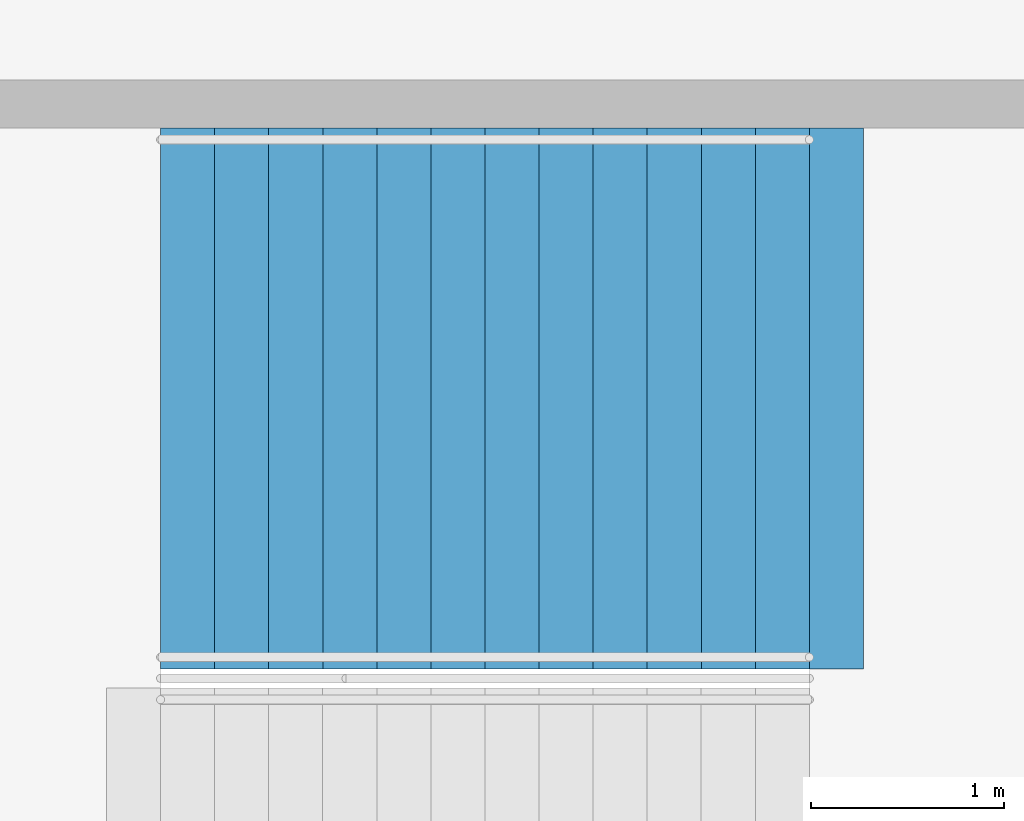
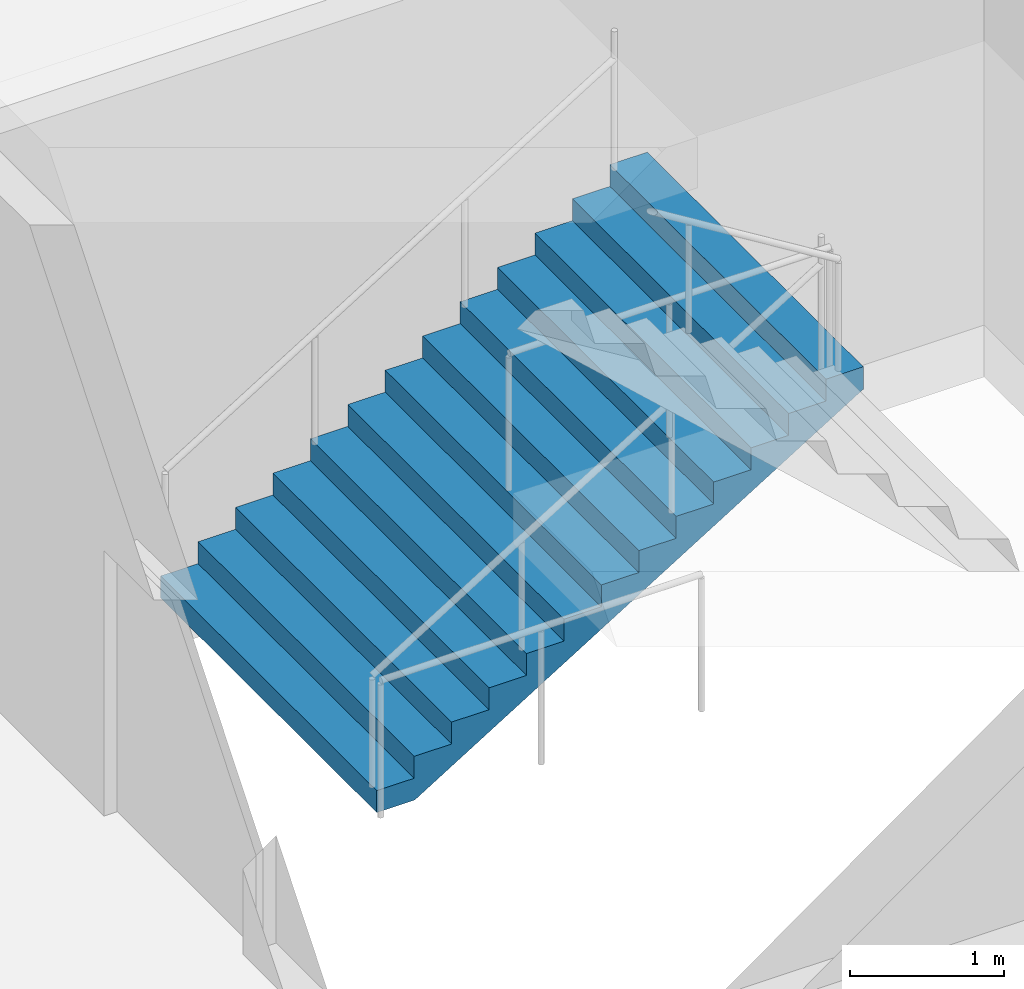
# One storey, part 141 of 199: 1 stair flight, 1 element without a shape of its own.
"""IFC4 building model written with IfcOpenShell, lengths in metres."""

from ifc_helpers import new_model, si_unit, direction, frame, origin, place, context, subcontext, project, spatial, faceted_brep, material, type_object, element, aggregate, save


model = new_model("IFC4")

# Units and contexts
model_context = context("Model", 3, precision=1e-05, world=origin(), true_north=direction((0.0, 1.0)))
body_context = subcontext(model_context, "Body", "Model", "MODEL_VIEW")
ifc_project = project(units=[si_unit("LENGTHUNIT", "METRE"), si_unit("AREAUNIT", "SQUARE_METRE"), si_unit("VOLUMEUNIT", "CUBIC_METRE"), si_unit("PLANEANGLEUNIT", "RADIAN"), si_unit("MASSUNIT", "GRAM", prefix="KILO")], contexts=[model_context])

# Site, building, storey
site_placement = place(None, origin())
site = spatial("IfcSite", under=ifc_project, at=site_placement, CompositionType="ELEMENT")
building_placement = place(site_placement, origin())
building = spatial("IfcBuilding", under=site, at=building_placement, Name="Ogive Plaza Stadium", CompositionType="ELEMENT")
storey_placement = place(building_placement, frame((0.0, 0.0, 9.0)))
storey = spatial("IfcBuildingStorey", under=building, at=storey_placement, Name="L02", CompositionType="ELEMENT", Elevation=9.0)

# Stair, stair flight
ifc_material_1 = material(Name="Concrete C40/50", Category="concrete")
stair_type = type_object("IfcStairType", Name="Exit stair", PredefinedType="STRAIGHT_RUN_STAIR", material=ifc_material_1)
stair_placement = place(storey_placement, origin())
stair = element("IfcStair", 1, at=stair_placement, inside=storey, type_object=stair_type, Name="Exit stair ST08B L02 to L03", PredefinedType="STRAIGHT_RUN_STAIR")
ifc_material_2 = material(Name="Concrete C40/50", Category="concrete")
stair_flight_type = type_object("IfcStairFlightType", Name="Exit stair flight", PredefinedType="STRAIGHT", material=ifc_material_2)
stair_flight_placement = place(storey_placement, frame((76.35009765625, -48.074951171875, 0.0), z_axis=(0.0, 0.0, 1.0), x_axis=(1.0, 0.0, 0.0)))
stair_flight = element("IfcStairFlight", 2, at=stair_flight_placement, type_object=stair_flight_type, Name="ST08B flight 1", NumberOfRisers=13, NumberOfTreads=12, PredefinedType="STRAIGHT", RiserHeight=0.173076923, TreadLength=0.28, context=body_context, shape_type="Brep", body=[
    faceted_brep([(0.28515625, -1.39990234375, 0.0), (3.639892578125, -1.39990234375, 2.07373046875), (3.639892578125, -1.39990234375, 2.25), (3.360107421875, -1.39990234375, 2.25), (3.360107421875, -1.39990234375, 2.076904296875), (3.080078125, -1.39990234375, 2.076904296875), (3.080078125, -1.39990234375, 1.90380859375), (2.800048828125, -1.39990234375, 1.90380859375), (2.800048828125, -1.39990234375, 1.730712890625), (2.52001953125, -1.39990234375, 1.730712890625), (2.52001953125, -1.39990234375, 1.5576171875), (2.239990234375, -1.39990234375, 1.5576171875), (2.239990234375, -1.39990234375, 1.384521484375), (1.9599609375, -1.39990234375, 1.384521484375), (1.9599609375, -1.39990234375, 1.21142578125), (1.679931640625, -1.39990234375, 1.21142578125), (1.679931640625, -1.39990234375, 1.03857421875), (1.39990234375, -1.39990234375, 1.03857421875), (1.39990234375, -1.39990234375, 0.865478515625), (1.1201171875, -1.39990234375, 0.865478515625), (1.1201171875, -1.39990234375, 0.6923828125), (0.840087890625, -1.39990234375, 0.6923828125), (0.840087890625, -1.39990234375, 0.519287109375), (0.56005859375, -1.39990234375, 0.519287109375), (0.56005859375, -1.39990234375, 0.34619140625), (0.280029296875, -1.39990234375, 0.34619140625), (0.280029296875, -1.39990234375, 0.173095703125), (0.0, -1.39990234375, 0.173095703125), (0.0, -1.39990234375, 0.0), (0.0, 1.39990234375, 0.0), (0.0, 1.39990234375, 0.173095703125), (0.280029296875, 1.39990234375, 0.173095703125), (0.280029296875, 1.39990234375, 0.34619140625), (0.56005859375, 1.39990234375, 0.34619140625), (0.56005859375, 1.39990234375, 0.519287109375), (0.840087890625, 1.39990234375, 0.519287109375), (0.840087890625, 1.39990234375, 0.6923828125), (1.1201171875, 1.39990234375, 0.6923828125), (1.1201171875, 1.39990234375, 0.865478515625), (1.39990234375, 1.39990234375, 0.865478515625), (1.39990234375, 1.39990234375, 1.03857421875), (1.679931640625, 1.39990234375, 1.03857421875), (1.679931640625, 1.39990234375, 1.21142578125), (1.9599609375, 1.39990234375, 1.21142578125), (1.9599609375, 1.39990234375, 1.384521484375), (2.239990234375, 1.39990234375, 1.384521484375), (2.239990234375, 1.39990234375, 1.5576171875), (2.52001953125, 1.39990234375, 1.5576171875), (2.52001953125, 1.39990234375, 1.730712890625), (2.800048828125, 1.39990234375, 1.730712890625), (2.800048828125, 1.39990234375, 1.90380859375), (3.080078125, 1.39990234375, 1.90380859375), (3.080078125, 1.39990234375, 2.076904296875), (3.360107421875, 1.39990234375, 2.076904296875), (3.360107421875, 1.39990234375, 2.25), (3.639892578125, 1.39990234375, 2.25), (3.639892578125, 1.39990234375, 2.07373046875), (0.28515625, 1.39990234375, 0.0), (0.28515625, -1.0888671875, 0.0), (3.639892578125, -1.0888671875, 2.07373046875), (0.28515625, -0.77783203125, 0.0), (3.639892578125, -0.77783203125, 2.07373046875), (0.28515625, -0.466796875, 0.0), (3.639892578125, -0.466796875, 2.07373046875), (0.28515625, -0.155517578125, 0.0), (3.639892578125, -0.155517578125, 2.07373046875), (0.28515625, 0.155517578125, 0.0), (3.639892578125, 0.155517578125, 2.07373046875), (0.28515625, 0.466796875, 0.0), (3.639892578125, 0.466796875, 2.07373046875), (0.28515625, 0.77783203125, 0.0), (3.639892578125, 0.77783203125, 2.07373046875), (0.28515625, 1.0888671875, 0.0), (3.639892578125, 1.0888671875, 2.07373046875), (3.639892578125, -1.0888671875, 2.25), (3.639892578125, -0.77783203125, 2.25), (3.639892578125, -0.466796875, 2.25), (3.639892578125, -0.155517578125, 2.25), (3.639892578125, 0.155517578125, 2.25), (3.639892578125, 0.466796875, 2.25), (3.639892578125, 0.77783203125, 2.25), (3.639892578125, 1.0888671875, 2.25), (3.360107421875, -1.0888671875, 2.25), (3.360107421875, -0.77783203125, 2.25), (3.360107421875, -0.466796875, 2.25), (3.360107421875, -0.155517578125, 2.25), (3.360107421875, 0.155517578125, 2.25), (3.360107421875, 0.466796875, 2.25), (3.360107421875, 0.77783203125, 2.25), (3.360107421875, 1.0888671875, 2.25), (3.360107421875, -1.0888671875, 2.076904296875), (3.360107421875, -0.77783203125, 2.076904296875), (3.360107421875, -0.466796875, 2.076904296875), (3.360107421875, -0.155517578125, 2.076904296875), (3.360107421875, 0.155517578125, 2.076904296875), (3.360107421875, 0.466796875, 2.076904296875), (3.360107421875, 0.77783203125, 2.076904296875), (3.360107421875, 1.0888671875, 2.076904296875), (3.080078125, -1.0888671875, 2.076904296875), (3.080078125, -0.77783203125, 2.076904296875), (3.080078125, -0.466796875, 2.076904296875), (3.080078125, -0.155517578125, 2.076904296875), (3.080078125, 0.155517578125, 2.076904296875), (3.080078125, 0.466796875, 2.076904296875), (3.080078125, 0.77783203125, 2.076904296875), (3.080078125, 1.0888671875, 2.076904296875), (3.080078125, -1.0888671875, 1.90380859375), (3.080078125, -0.77783203125, 1.90380859375), (3.080078125, -0.466796875, 1.90380859375), (3.080078125, -0.155517578125, 1.90380859375), (3.080078125, 0.155517578125, 1.90380859375), (3.080078125, 0.466796875, 1.90380859375), (3.080078125, 0.77783203125, 1.90380859375), (3.080078125, 1.0888671875, 1.90380859375), (2.800048828125, -1.0888671875, 1.90380859375), (2.800048828125, -0.77783203125, 1.90380859375), (2.800048828125, -0.466796875, 1.90380859375), (2.800048828125, -0.155517578125, 1.90380859375), (2.800048828125, 0.155517578125, 1.90380859375), (2.800048828125, 0.466796875, 1.90380859375), (2.800048828125, 0.77783203125, 1.90380859375), (2.800048828125, 1.0888671875, 1.90380859375), (2.800048828125, -1.0888671875, 1.730712890625), (2.800048828125, -0.77783203125, 1.730712890625), (2.800048828125, -0.466796875, 1.730712890625), (2.800048828125, -0.155517578125, 1.730712890625), (2.800048828125, 0.155517578125, 1.730712890625), (2.800048828125, 0.466796875, 1.730712890625), (2.800048828125, 0.77783203125, 1.730712890625), (2.800048828125, 1.0888671875, 1.730712890625), (2.52001953125, -1.0888671875, 1.730712890625), (2.52001953125, -0.77783203125, 1.730712890625), (2.52001953125, -0.466796875, 1.730712890625), (2.52001953125, -0.155517578125, 1.730712890625), (2.52001953125, 0.155517578125, 1.730712890625), (2.52001953125, 0.466796875, 1.730712890625), (2.52001953125, 0.77783203125, 1.730712890625), (2.52001953125, 1.0888671875, 1.730712890625), (2.52001953125, -1.0888671875, 1.5576171875), (2.52001953125, -0.77783203125, 1.5576171875), (2.52001953125, -0.466796875, 1.5576171875), (2.52001953125, -0.155517578125, 1.5576171875), (2.52001953125, 0.155517578125, 1.5576171875), (2.52001953125, 0.466796875, 1.5576171875), (2.52001953125, 0.77783203125, 1.5576171875), (2.52001953125, 1.0888671875, 1.5576171875), (2.239990234375, -1.0888671875, 1.5576171875), (2.239990234375, -0.77783203125, 1.5576171875), (2.239990234375, -0.466796875, 1.5576171875), (2.239990234375, -0.155517578125, 1.5576171875), (2.239990234375, 0.155517578125, 1.5576171875), (2.239990234375, 0.466796875, 1.5576171875), (2.239990234375, 0.77783203125, 1.5576171875), (2.239990234375, 1.0888671875, 1.5576171875), (2.239990234375, -1.0888671875, 1.384521484375), (2.239990234375, -0.77783203125, 1.384521484375), (2.239990234375, -0.466796875, 1.384521484375), (2.239990234375, -0.155517578125, 1.384521484375), (2.239990234375, 0.155517578125, 1.384521484375), (2.239990234375, 0.466796875, 1.384521484375), (2.239990234375, 0.77783203125, 1.384521484375), (2.239990234375, 1.0888671875, 1.384521484375), (1.9599609375, -1.0888671875, 1.384521484375), (1.9599609375, -0.77783203125, 1.384521484375), (1.9599609375, -0.466796875, 1.384521484375), (1.9599609375, -0.155517578125, 1.384521484375), (1.9599609375, 0.155517578125, 1.384521484375), (1.9599609375, 0.466796875, 1.384521484375), (1.9599609375, 0.77783203125, 1.384521484375), (1.9599609375, 1.0888671875, 1.384521484375), (1.9599609375, -1.0888671875, 1.21142578125), (1.9599609375, -0.77783203125, 1.21142578125), (1.9599609375, -0.466796875, 1.21142578125), (1.9599609375, -0.155517578125, 1.21142578125), (1.9599609375, 0.155517578125, 1.21142578125), (1.9599609375, 0.466796875, 1.21142578125), (1.9599609375, 0.77783203125, 1.21142578125), (1.9599609375, 1.0888671875, 1.21142578125), (1.679931640625, -1.0888671875, 1.21142578125), (1.679931640625, -0.77783203125, 1.21142578125), (1.679931640625, -0.466796875, 1.21142578125), (1.679931640625, -0.155517578125, 1.21142578125), (1.679931640625, 0.155517578125, 1.21142578125), (1.679931640625, 0.466796875, 1.21142578125), (1.679931640625, 0.77783203125, 1.21142578125), (1.679931640625, 1.0888671875, 1.21142578125), (1.679931640625, -1.0888671875, 1.03857421875), (1.679931640625, -0.77783203125, 1.03857421875), (1.679931640625, -0.466796875, 1.03857421875), (1.679931640625, -0.155517578125, 1.03857421875), (1.679931640625, 0.155517578125, 1.03857421875), (1.679931640625, 0.466796875, 1.03857421875), (1.679931640625, 0.77783203125, 1.03857421875), (1.679931640625, 1.0888671875, 1.03857421875), (1.39990234375, -1.0888671875, 1.03857421875), (1.39990234375, -0.77783203125, 1.03857421875), (1.39990234375, -0.466796875, 1.03857421875), (1.39990234375, -0.155517578125, 1.03857421875), (1.39990234375, 0.155517578125, 1.03857421875), (1.39990234375, 0.466796875, 1.03857421875), (1.39990234375, 0.77783203125, 1.03857421875), (1.39990234375, 1.0888671875, 1.03857421875), (1.39990234375, -1.0888671875, 0.865478515625), (1.39990234375, -0.77783203125, 0.865478515625), (1.39990234375, -0.466796875, 0.865478515625), (1.39990234375, -0.155517578125, 0.865478515625), (1.39990234375, 0.155517578125, 0.865478515625), (1.39990234375, 0.466796875, 0.865478515625), (1.39990234375, 0.77783203125, 0.865478515625), (1.39990234375, 1.0888671875, 0.865478515625), (1.1201171875, -1.0888671875, 0.865478515625), (1.1201171875, -0.77783203125, 0.865478515625), (1.1201171875, -0.466796875, 0.865478515625), (1.1201171875, -0.155517578125, 0.865478515625), (1.1201171875, 0.155517578125, 0.865478515625), (1.1201171875, 0.466796875, 0.865478515625), (1.1201171875, 0.77783203125, 0.865478515625), (1.1201171875, 1.0888671875, 0.865478515625), (1.1201171875, -1.0888671875, 0.6923828125), (1.1201171875, -0.77783203125, 0.6923828125), (1.1201171875, -0.466796875, 0.6923828125), (1.1201171875, -0.155517578125, 0.6923828125), (1.1201171875, 0.155517578125, 0.6923828125), (1.1201171875, 0.466796875, 0.6923828125), (1.1201171875, 0.77783203125, 0.6923828125), (1.1201171875, 1.0888671875, 0.6923828125), (0.840087890625, -1.0888671875, 0.6923828125), (0.840087890625, -0.77783203125, 0.6923828125), (0.840087890625, -0.466796875, 0.6923828125), (0.840087890625, -0.155517578125, 0.6923828125), (0.840087890625, 0.155517578125, 0.6923828125), (0.840087890625, 0.466796875, 0.6923828125), (0.840087890625, 0.77783203125, 0.6923828125), (0.840087890625, 1.0888671875, 0.6923828125), (0.840087890625, -1.0888671875, 0.519287109375), (0.840087890625, -0.77783203125, 0.519287109375), (0.840087890625, -0.466796875, 0.519287109375), (0.840087890625, -0.155517578125, 0.519287109375), (0.840087890625, 0.155517578125, 0.519287109375), (0.840087890625, 0.466796875, 0.519287109375), (0.840087890625, 0.77783203125, 0.519287109375), (0.840087890625, 1.0888671875, 0.519287109375), (0.56005859375, -1.0888671875, 0.519287109375), (0.56005859375, -0.77783203125, 0.519287109375), (0.56005859375, -0.466796875, 0.519287109375), (0.56005859375, -0.155517578125, 0.519287109375), (0.56005859375, 0.155517578125, 0.519287109375), (0.56005859375, 0.466796875, 0.519287109375), (0.56005859375, 0.77783203125, 0.519287109375), (0.56005859375, 1.0888671875, 0.519287109375), (0.56005859375, -1.0888671875, 0.34619140625), (0.56005859375, -0.77783203125, 0.34619140625), (0.56005859375, -0.466796875, 0.34619140625), (0.56005859375, -0.155517578125, 0.34619140625), (0.56005859375, 0.155517578125, 0.34619140625), (0.56005859375, 0.466796875, 0.34619140625), (0.56005859375, 0.77783203125, 0.34619140625), (0.56005859375, 1.0888671875, 0.34619140625), (0.280029296875, -1.0888671875, 0.34619140625), (0.280029296875, -0.77783203125, 0.34619140625), (0.280029296875, -0.466796875, 0.34619140625), (0.280029296875, -0.155517578125, 0.34619140625), (0.280029296875, 0.155517578125, 0.34619140625), (0.280029296875, 0.466796875, 0.34619140625), (0.280029296875, 0.77783203125, 0.34619140625), (0.280029296875, 1.0888671875, 0.34619140625), (0.280029296875, -1.0888671875, 0.173095703125), (0.280029296875, -0.77783203125, 0.173095703125), (0.280029296875, -0.466796875, 0.173095703125), (0.280029296875, -0.155517578125, 0.173095703125), (0.280029296875, 0.155517578125, 0.173095703125), (0.280029296875, 0.466796875, 0.173095703125), (0.280029296875, 0.77783203125, 0.173095703125), (0.280029296875, 1.0888671875, 0.173095703125), (0.0, -1.0888671875, 0.173095703125), (0.0, -0.77783203125, 0.173095703125), (0.0, -0.466796875, 0.173095703125), (0.0, -0.155517578125, 0.173095703125), (0.0, 0.155517578125, 0.173095703125), (0.0, 0.466796875, 0.173095703125), (0.0, 0.77783203125, 0.173095703125), (0.0, 1.0888671875, 0.173095703125), (0.0, -1.0888671875, 0.0), (0.0, -0.77783203125, 0.0), (0.0, -0.466796875, 0.0), (0.0, -0.155517578125, 0.0), (0.0, 0.155517578125, 0.0), (0.0, 0.466796875, 0.0), (0.0, 0.77783203125, 0.0), (0.0, 1.0888671875, 0.0)], [[[0, 1, 2, 3, 4, 5, 6, 7, 8, 9, 10, 11, 12, 13, 14, 15, 16, 17, 18, 19, 20, 21, 22, 23, 24, 25, 26, 27, 28]], [[29, 30, 31, 32, 33, 34, 35, 36, 37, 38, 39, 40, 41, 42, 43, 44, 45, 46, 47, 48, 49, 50, 51, 52, 53, 54, 55, 56, 57]], [[0, 58, 59, 1]], [[58, 60, 61, 59]], [[60, 62, 63, 61]], [[62, 64, 65, 63]], [[64, 66, 67, 65]], [[66, 68, 69, 67]], [[68, 70, 71, 69]], [[70, 72, 73, 71]], [[72, 57, 56, 73]], [[1, 59, 74, 2]], [[59, 61, 75, 74]], [[61, 63, 76, 75]], [[63, 65, 77, 76]], [[65, 67, 78, 77]], [[67, 69, 79, 78]], [[69, 71, 80, 79]], [[71, 73, 81, 80]], [[73, 56, 55, 81]], [[2, 74, 82, 3]], [[74, 75, 83, 82]], [[75, 76, 84, 83]], [[76, 77, 85, 84]], [[77, 78, 86, 85]], [[78, 79, 87, 86]], [[79, 80, 88, 87]], [[80, 81, 89, 88]], [[81, 55, 54, 89]], [[3, 82, 90, 4]], [[82, 83, 91, 90]], [[83, 84, 92, 91]], [[84, 85, 93, 92]], [[85, 86, 94, 93]], [[86, 87, 95, 94]], [[87, 88, 96, 95]], [[88, 89, 97, 96]], [[89, 54, 53, 97]], [[4, 90, 98, 5]], [[90, 91, 99, 98]], [[91, 92, 100, 99]], [[92, 93, 101, 100]], [[93, 94, 102, 101]], [[94, 95, 103, 102]], [[95, 96, 104, 103]], [[96, 97, 105, 104]], [[97, 53, 52, 105]], [[5, 98, 106, 6]], [[98, 99, 107, 106]], [[99, 100, 108, 107]], [[100, 101, 109, 108]], [[101, 102, 110, 109]], [[102, 103, 111, 110]], [[103, 104, 112, 111]], [[104, 105, 113, 112]], [[105, 52, 51, 113]], [[6, 106, 114, 7]], [[106, 107, 115, 114]], [[107, 108, 116, 115]], [[108, 109, 117, 116]], [[109, 110, 118, 117]], [[110, 111, 119, 118]], [[111, 112, 120, 119]], [[112, 113, 121, 120]], [[113, 51, 50, 121]], [[7, 114, 122, 8]], [[114, 115, 123, 122]], [[115, 116, 124, 123]], [[116, 117, 125, 124]], [[117, 118, 126, 125]], [[118, 119, 127, 126]], [[119, 120, 128, 127]], [[120, 121, 129, 128]], [[121, 50, 49, 129]], [[8, 122, 130, 9]], [[122, 123, 131, 130]], [[123, 124, 132, 131]], [[124, 125, 133, 132]], [[125, 126, 134, 133]], [[126, 127, 135, 134]], [[127, 128, 136, 135]], [[128, 129, 137, 136]], [[129, 49, 48, 137]], [[9, 130, 138, 10]], [[130, 131, 139, 138]], [[131, 132, 140, 139]], [[132, 133, 141, 140]], [[133, 134, 142, 141]], [[134, 135, 143, 142]], [[135, 136, 144, 143]], [[136, 137, 145, 144]], [[137, 48, 47, 145]], [[10, 138, 146, 11]], [[138, 139, 147, 146]], [[139, 140, 148, 147]], [[140, 141, 149, 148]], [[141, 142, 150, 149]], [[142, 143, 151, 150]], [[143, 144, 152, 151]], [[144, 145, 153, 152]], [[145, 47, 46, 153]], [[11, 146, 154, 12]], [[146, 147, 155, 154]], [[147, 148, 156, 155]], [[148, 149, 157, 156]], [[149, 150, 158, 157]], [[150, 151, 159, 158]], [[151, 152, 160, 159]], [[152, 153, 161, 160]], [[153, 46, 45, 161]], [[12, 154, 162, 13]], [[154, 155, 163, 162]], [[155, 156, 164, 163]], [[156, 157, 165, 164]], [[157, 158, 166, 165]], [[158, 159, 167, 166]], [[159, 160, 168, 167]], [[160, 161, 169, 168]], [[161, 45, 44, 169]], [[13, 162, 170, 14]], [[162, 163, 171, 170]], [[163, 164, 172, 171]], [[164, 165, 173, 172]], [[165, 166, 174, 173]], [[166, 167, 175, 174]], [[167, 168, 176, 175]], [[168, 169, 177, 176]], [[169, 44, 43, 177]], [[14, 170, 178, 15]], [[170, 171, 179, 178]], [[171, 172, 180, 179]], [[172, 173, 181, 180]], [[173, 174, 182, 181]], [[174, 175, 183, 182]], [[175, 176, 184, 183]], [[176, 177, 185, 184]], [[177, 43, 42, 185]], [[15, 178, 186, 16]], [[178, 179, 187, 186]], [[179, 180, 188, 187]], [[180, 181, 189, 188]], [[181, 182, 190, 189]], [[182, 183, 191, 190]], [[183, 184, 192, 191]], [[184, 185, 193, 192]], [[185, 42, 41, 193]], [[16, 186, 194, 17]], [[186, 187, 195, 194]], [[187, 188, 196, 195]], [[188, 189, 197, 196]], [[189, 190, 198, 197]], [[190, 191, 199, 198]], [[191, 192, 200, 199]], [[192, 193, 201, 200]], [[193, 41, 40, 201]], [[17, 194, 202, 18]], [[194, 195, 203, 202]], [[195, 196, 204, 203]], [[196, 197, 205, 204]], [[197, 198, 206, 205]], [[198, 199, 207, 206]], [[199, 200, 208, 207]], [[200, 201, 209, 208]], [[201, 40, 39, 209]], [[18, 202, 210, 19]], [[202, 203, 211, 210]], [[203, 204, 212, 211]], [[204, 205, 213, 212]], [[205, 206, 214, 213]], [[206, 207, 215, 214]], [[207, 208, 216, 215]], [[208, 209, 217, 216]], [[209, 39, 38, 217]], [[19, 210, 218, 20]], [[210, 211, 219, 218]], [[211, 212, 220, 219]], [[212, 213, 221, 220]], [[213, 214, 222, 221]], [[214, 215, 223, 222]], [[215, 216, 224, 223]], [[216, 217, 225, 224]], [[217, 38, 37, 225]], [[20, 218, 226, 21]], [[218, 219, 227, 226]], [[219, 220, 228, 227]], [[220, 221, 229, 228]], [[221, 222, 230, 229]], [[222, 223, 231, 230]], [[223, 224, 232, 231]], [[224, 225, 233, 232]], [[225, 37, 36, 233]], [[21, 226, 234, 22]], [[226, 227, 235, 234]], [[227, 228, 236, 235]], [[228, 229, 237, 236]], [[229, 230, 238, 237]], [[230, 231, 239, 238]], [[231, 232, 240, 239]], [[232, 233, 241, 240]], [[233, 36, 35, 241]], [[22, 234, 242, 23]], [[234, 235, 243, 242]], [[235, 236, 244, 243]], [[236, 237, 245, 244]], [[237, 238, 246, 245]], [[238, 239, 247, 246]], [[239, 240, 248, 247]], [[240, 241, 249, 248]], [[241, 35, 34, 249]], [[23, 242, 250, 24]], [[242, 243, 251, 250]], [[243, 244, 252, 251]], [[244, 245, 253, 252]], [[245, 246, 254, 253]], [[246, 247, 255, 254]], [[247, 248, 256, 255]], [[248, 249, 257, 256]], [[249, 34, 33, 257]], [[24, 250, 258, 25]], [[250, 251, 259, 258]], [[251, 252, 260, 259]], [[252, 253, 261, 260]], [[253, 254, 262, 261]], [[254, 255, 263, 262]], [[255, 256, 264, 263]], [[256, 257, 265, 264]], [[257, 33, 32, 265]], [[25, 258, 266, 26]], [[258, 259, 267, 266]], [[259, 260, 268, 267]], [[260, 261, 269, 268]], [[261, 262, 270, 269]], [[262, 263, 271, 270]], [[263, 264, 272, 271]], [[264, 265, 273, 272]], [[265, 32, 31, 273]], [[26, 266, 274, 27]], [[266, 267, 275, 274]], [[267, 268, 276, 275]], [[268, 269, 277, 276]], [[269, 270, 278, 277]], [[270, 271, 279, 278]], [[271, 272, 280, 279]], [[272, 273, 281, 280]], [[273, 31, 30, 281]], [[27, 274, 282, 28]], [[274, 275, 283, 282]], [[275, 276, 284, 283]], [[276, 277, 285, 284]], [[277, 278, 286, 285]], [[278, 279, 287, 286]], [[279, 280, 288, 287]], [[280, 281, 289, 288]], [[281, 30, 29, 289]], [[28, 282, 58, 0]], [[282, 283, 60, 58]], [[283, 284, 62, 60]], [[284, 285, 64, 62]], [[285, 286, 66, 64]], [[286, 287, 68, 66]], [[287, 288, 70, 68]], [[288, 289, 72, 70]], [[289, 29, 57, 72]]]),
])
aggregate(stair, [stair_flight])

save(model, "model.ifc")
